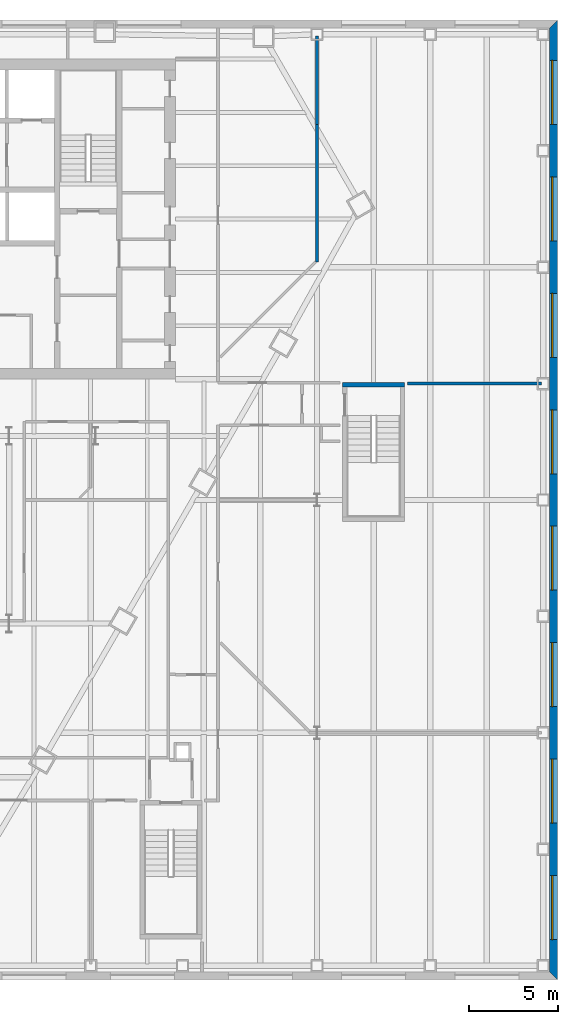
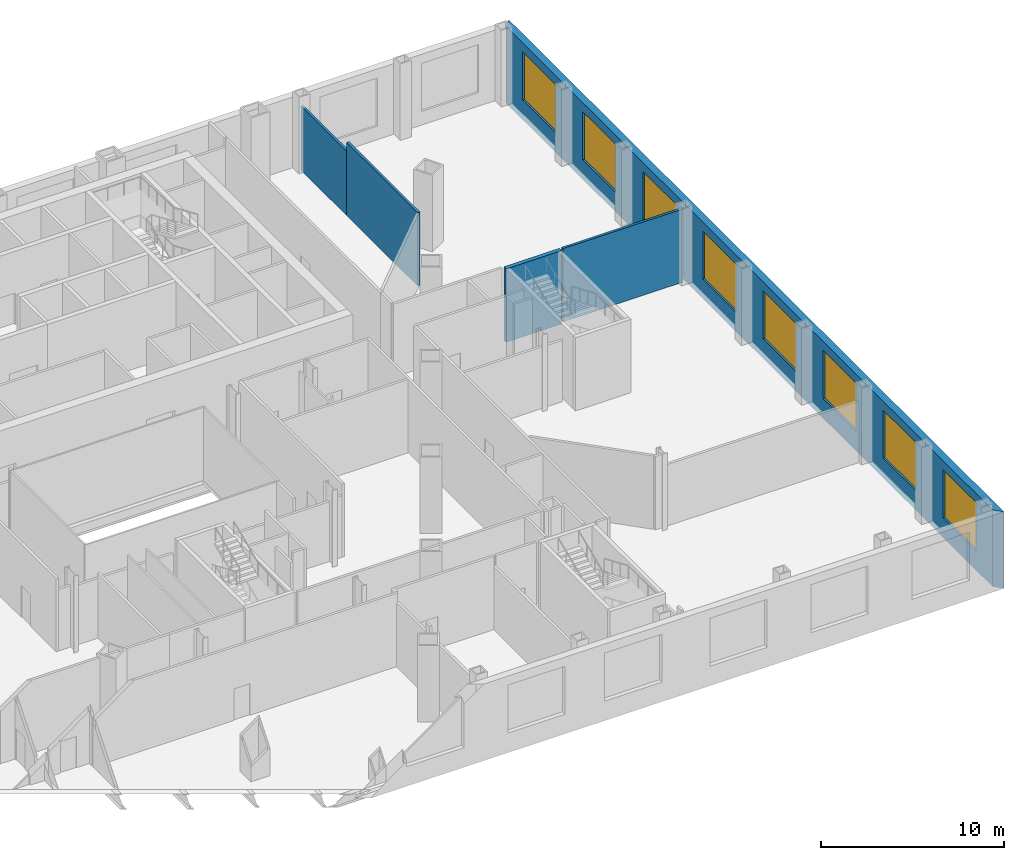
# One storey, part 14 of 20: 8 windows, 5 walls, 8 openings.
"""IFC4 building model written with IfcOpenShell, lengths in metres."""

from ifc_helpers import new_model, si_unit, direction, frame, frame_2d, origin, place, context, subcontext, project, spatial, polyline, rectangle, outline, extrude, material, layer, layer_set, type_object, element, fill, save


model = new_model("IFC4")

# Units and contexts
model_context = context("Model", 3, precision=1e-05, world=origin(), true_north=direction((0.0, 1.0)))
body_context = subcontext(model_context, "Body", "Model", "MODEL_VIEW")
ifc_project = project(units=[si_unit("LENGTHUNIT", "METRE"), si_unit("AREAUNIT", "SQUARE_METRE"), si_unit("VOLUMEUNIT", "CUBIC_METRE"), si_unit("PLANEANGLEUNIT", "RADIAN"), si_unit("MASSUNIT", "GRAM", prefix="KILO")], contexts=[model_context])

# Site, building, storey
site_placement = place(None, origin())
site = spatial("IfcSite", under=ifc_project, at=site_placement, CompositionType="ELEMENT")
building_placement = place(site_placement, origin())
building = spatial("IfcBuilding", under=site, at=building_placement, Name="Njiva Tower", CompositionType="ELEMENT")
storey_placement = place(building_placement, frame((0.0, 0.0, 18.6)))
storey = spatial("IfcBuildingStorey", under=building, at=storey_placement, Name="L03", CompositionType="ELEMENT", Elevation=18.6)

# Walls
ifc_material_1 = material(Name="Gypsum board on steel studs", Category="gypsum")
ifc_layer_1 = layer(ifc_material_1, 0.15)
ifc_layer_set_1 = layer_set([ifc_layer_1], Name="Gypsum board on steel studs")
wall_type_1 = type_object("IfcWallType", Name="WT21 Compartment wall 150", PredefinedType="PARTITIONING", material=ifc_layer_set_1)
wall_1_placement = place(storey_placement, frame((25.467, 6.592, 0.0), z_axis=(0.0, 0.0, 1.0), x_axis=(0.0, 1.0, 0.0)))
element("IfcWall", 1, at=wall_1_placement, inside=storey, type_object=wall_type_1, Name="Partition L03-P091", PredefinedType="PARTITIONING", context=body_context, shape_type="SweptSolid", body=[
    extrude(rectangle(XDim=7.736, YDim=0.15, at=frame_2d((3.868, 0.0))), origin(), (0.0, 0.0, 1.0), 4.88),
])
wall_2_placement = place(storey_placement, frame((25.467, 14.328, 0.0), z_axis=(0.0, 0.0, 1.0), x_axis=(0.0, 1.0, 0.0)))
element("IfcWall", 2, at=wall_2_placement, inside=storey, type_object=wall_type_1, Name="Partition L03-P091A", PredefinedType="PARTITIONING", context=body_context, shape_type="SweptSolid", body=[
    extrude(rectangle(XDim=4.972, YDim=0.15, at=frame_2d((2.486, 0.0))), origin(), (0.0, 0.0, 1.0), 4.28),
])
wall_3_placement = place(storey_placement, frame((30.55, -0.25, 0.0), z_axis=(0.0, 0.0, 1.0), x_axis=(1.0, 0.0, 0.0)))
element("IfcWall", 3, at=wall_3_placement, inside=storey, type_object=wall_type_1, Name="Partition L03-P095", PredefinedType="PARTITIONING", context=body_context, shape_type="SweptSolid", body=[
    extrude(rectangle(XDim=7.55, YDim=0.15, at=frame_2d((3.775, 0.0))), origin(), (0.0, 0.0, 1.0), 4.88),
])
ifc_material_2 = material(Name="Concrete C40/50", Category="concrete")
ifc_layer_2 = layer(ifc_material_2, 0.25)
ifc_layer_set_2 = layer_set([ifc_layer_2], Name="Concrete C40/50")
wall_type_2 = type_object("IfcWallType", Name="WT9 Stair enclosure wall 250", PredefinedType="SHEAR", material=ifc_layer_set_2)
wall_4_placement = place(storey_placement, frame((26.9, -0.325, 0.0), z_axis=(0.0, 0.0, 1.0), x_axis=(1.0, 0.0, 0.0)))
element("IfcWall", 4, at=wall_4_placement, inside=storey, type_object=wall_type_2, Name="Stair G wall north", PredefinedType="SHEAR", context=body_context, shape_type="SweptSolid", body=[
    extrude(rectangle(XDim=3.5, YDim=0.25, at=frame_2d((1.75, 0.0))), origin(), (0.0, 0.0, 1.0), 4.88),
])

# Wall, openings, windows
ifc_material_3 = material(Name="Brick masonry", Category="masonry")
ifc_layer_3 = layer(ifc_material_3, 0.45)
ifc_layer_set_3 = layer_set([ifc_layer_3], Name="Brick masonry")
wall_type_3 = type_object("IfcWallType", Name="WT90 Brick pier and spandrel wall 450", PredefinedType="SOLIDWALL", material=ifc_layer_set_3)
wall_5_placement = place(storey_placement, frame((38.775, -33.575, -0.4), z_axis=(0.0, 0.0, 1.0), x_axis=(0.0, 1.0, 0.0)))
wall_5 = element("IfcWall", 5, at=wall_5_placement, inside=storey, type_object=wall_type_3, Name="Podium wall E", PredefinedType="SOLIDWALL", context=body_context, shape_type="SweptSolid", body=[
    extrude(outline(polyline([(-0.225, -0.225), (53.775, -0.225), (53.325, 0.225), (0.225, 0.225), (-0.225, -0.225)])), origin(), (0.0, 0.0, 1.0), 5.1),
])
opening_1_placement = place(wall_5_placement, frame((2.05, 0.0, 1.3)))
opening_1 = element("IfcOpeningElement", 6, at=opening_1_placement, cuts=wall_5, Name="Opening L03-W01", PredefinedType="OPENING", context=body_context, shape_type="SweptSolid", body=[
    extrude(rectangle(XDim=3.6, YDim=3.2, at=frame_2d((1.8, 1.6))), frame((0.0, 0.235, 0.0), z_axis=(0.0, -1.0, 0.0), x_axis=(1.0, 0.0, 0.0)), (0.0, 0.0, 1.0), 0.47),
])
opening_2_placement = place(wall_5_placement, frame((8.6, 0.0, 1.3)))
opening_2 = element("IfcOpeningElement", 7, at=opening_2_placement, cuts=wall_5, Name="Opening L03-W02", PredefinedType="OPENING", context=body_context, shape_type="SweptSolid", body=[
    extrude(rectangle(XDim=3.6, YDim=3.2, at=frame_2d((1.8, 1.6))), frame((0.0, 0.235, 0.0), z_axis=(0.0, -1.0, 0.0), x_axis=(1.0, 0.0, 0.0)), (0.0, 0.0, 1.0), 0.47),
])
opening_3_placement = place(wall_5_placement, frame((15.15, 0.0, 1.3)))
opening_3 = element("IfcOpeningElement", 8, at=opening_3_placement, cuts=wall_5, Name="Opening L03-W03", PredefinedType="OPENING", context=body_context, shape_type="SweptSolid", body=[
    extrude(rectangle(XDim=3.6, YDim=3.2, at=frame_2d((1.8, 1.6))), frame((0.0, 0.235, 0.0), z_axis=(0.0, -1.0, 0.0), x_axis=(1.0, 0.0, 0.0)), (0.0, 0.0, 1.0), 0.47),
])
opening_4_placement = place(wall_5_placement, frame((21.7, 0.0, 1.3)))
opening_4 = element("IfcOpeningElement", 9, at=opening_4_placement, cuts=wall_5, Name="Opening L03-W04", PredefinedType="OPENING", context=body_context, shape_type="SweptSolid", body=[
    extrude(rectangle(XDim=3.6, YDim=3.2, at=frame_2d((1.8, 1.6))), frame((0.0, 0.235, 0.0), z_axis=(0.0, -1.0, 0.0), x_axis=(1.0, 0.0, 0.0)), (0.0, 0.0, 1.0), 0.47),
])
opening_5_placement = place(wall_5_placement, frame((28.25, 0.0, 1.3)))
opening_5 = element("IfcOpeningElement", 10, at=opening_5_placement, cuts=wall_5, Name="Opening L03-W05", PredefinedType="OPENING", context=body_context, shape_type="SweptSolid", body=[
    extrude(rectangle(XDim=3.6, YDim=3.2, at=frame_2d((1.8, 1.6))), frame((0.0, 0.235, 0.0), z_axis=(0.0, -1.0, 0.0), x_axis=(1.0, 0.0, 0.0)), (0.0, 0.0, 1.0), 0.47),
])
opening_6_placement = place(wall_5_placement, frame((34.8, 0.0, 1.3)))
opening_6 = element("IfcOpeningElement", 11, at=opening_6_placement, cuts=wall_5, Name="Opening L03-W06", PredefinedType="OPENING", context=body_context, shape_type="SweptSolid", body=[
    extrude(rectangle(XDim=3.6, YDim=3.2, at=frame_2d((1.8, 1.6))), frame((0.0, 0.235, 0.0), z_axis=(0.0, -1.0, 0.0), x_axis=(1.0, 0.0, 0.0)), (0.0, 0.0, 1.0), 0.47),
])
opening_7_placement = place(wall_5_placement, frame((41.35, 0.0, 1.3)))
opening_7 = element("IfcOpeningElement", 12, at=opening_7_placement, cuts=wall_5, Name="Opening L03-W07", PredefinedType="OPENING", context=body_context, shape_type="SweptSolid", body=[
    extrude(rectangle(XDim=3.6, YDim=3.2, at=frame_2d((1.8, 1.6))), frame((0.0, 0.235, 0.0), z_axis=(0.0, -1.0, 0.0), x_axis=(1.0, 0.0, 0.0)), (0.0, 0.0, 1.0), 0.47),
])
opening_8_placement = place(wall_5_placement, frame((47.9, 0.0, 1.3)))
opening_8 = element("IfcOpeningElement", 13, at=opening_8_placement, cuts=wall_5, Name="Opening L03-W08", PredefinedType="OPENING", context=body_context, shape_type="SweptSolid", body=[
    extrude(rectangle(XDim=3.6, YDim=3.2, at=frame_2d((1.8, 1.6))), frame((0.0, 0.235, 0.0), z_axis=(0.0, -1.0, 0.0), x_axis=(1.0, 0.0, 0.0)), (0.0, 0.0, 1.0), 0.47),
])
ifc_material_4 = material(Name="Clear glazing in aluminium frame", Category="aluminium")
window_type = type_object("IfcWindowType", Name="W98 Deep-set window 3600x3200", PartitioningType="SINGLE_PANEL", PredefinedType="WINDOW", material=ifc_material_4)
window_1_placement = place(opening_1_placement, origin())
window_1 = element("IfcWindow", 14, at=window_1_placement, inside=storey, type_object=window_type, Name="Window", OverallHeight=3.2, OverallWidth=3.6, PartitioningType="SINGLE_PANEL", PredefinedType="WINDOW", context=body_context, shape_type="SweptSolid", body=[
    extrude(rectangle(XDim=3.6, YDim=3.2, at=frame_2d((1.8, 1.6))), frame((0.0, 0.105, 0.0), z_axis=(0.0, -1.0, 0.0), x_axis=(1.0, 0.0, 0.0)), (0.0, 0.0, 1.0), 0.06),
])
fill(opening_1, window_1)
window_2_placement = place(opening_2_placement, origin())
window_2 = element("IfcWindow", 15, at=window_2_placement, inside=storey, type_object=window_type, Name="Window", OverallHeight=3.2, OverallWidth=3.6, PartitioningType="SINGLE_PANEL", PredefinedType="WINDOW", context=body_context, shape_type="SweptSolid", body=[
    extrude(rectangle(XDim=3.6, YDim=3.2, at=frame_2d((1.8, 1.6))), frame((0.0, 0.105, 0.0), z_axis=(0.0, -1.0, 0.0), x_axis=(1.0, 0.0, 0.0)), (0.0, 0.0, 1.0), 0.06),
])
fill(opening_2, window_2)
window_3_placement = place(opening_3_placement, origin())
window_3 = element("IfcWindow", 16, at=window_3_placement, inside=storey, type_object=window_type, Name="Window", OverallHeight=3.2, OverallWidth=3.6, PartitioningType="SINGLE_PANEL", PredefinedType="WINDOW", context=body_context, shape_type="SweptSolid", body=[
    extrude(rectangle(XDim=3.6, YDim=3.2, at=frame_2d((1.8, 1.6))), frame((0.0, 0.105, 0.0), z_axis=(0.0, -1.0, 0.0), x_axis=(1.0, 0.0, 0.0)), (0.0, 0.0, 1.0), 0.06),
])
fill(opening_3, window_3)
window_4_placement = place(opening_4_placement, origin())
window_4 = element("IfcWindow", 17, at=window_4_placement, inside=storey, type_object=window_type, Name="Window", OverallHeight=3.2, OverallWidth=3.6, PartitioningType="SINGLE_PANEL", PredefinedType="WINDOW", context=body_context, shape_type="SweptSolid", body=[
    extrude(rectangle(XDim=3.6, YDim=3.2, at=frame_2d((1.8, 1.6))), frame((0.0, 0.105, 0.0), z_axis=(0.0, -1.0, 0.0), x_axis=(1.0, 0.0, 0.0)), (0.0, 0.0, 1.0), 0.06),
])
fill(opening_4, window_4)
window_5_placement = place(opening_5_placement, origin())
window_5 = element("IfcWindow", 18, at=window_5_placement, inside=storey, type_object=window_type, Name="Window", OverallHeight=3.2, OverallWidth=3.6, PartitioningType="SINGLE_PANEL", PredefinedType="WINDOW", context=body_context, shape_type="SweptSolid", body=[
    extrude(rectangle(XDim=3.6, YDim=3.2, at=frame_2d((1.8, 1.6))), frame((0.0, 0.105, 0.0), z_axis=(0.0, -1.0, 0.0), x_axis=(1.0, 0.0, 0.0)), (0.0, 0.0, 1.0), 0.06),
])
fill(opening_5, window_5)
window_6_placement = place(opening_6_placement, origin())
window_6 = element("IfcWindow", 19, at=window_6_placement, inside=storey, type_object=window_type, Name="Window", OverallHeight=3.2, OverallWidth=3.6, PartitioningType="SINGLE_PANEL", PredefinedType="WINDOW", context=body_context, shape_type="SweptSolid", body=[
    extrude(rectangle(XDim=3.6, YDim=3.2, at=frame_2d((1.8, 1.6))), frame((0.0, 0.105, 0.0), z_axis=(0.0, -1.0, 0.0), x_axis=(1.0, 0.0, 0.0)), (0.0, 0.0, 1.0), 0.06),
])
fill(opening_6, window_6)
window_7_placement = place(opening_7_placement, origin())
window_7 = element("IfcWindow", 20, at=window_7_placement, inside=storey, type_object=window_type, Name="Window", OverallHeight=3.2, OverallWidth=3.6, PartitioningType="SINGLE_PANEL", PredefinedType="WINDOW", context=body_context, shape_type="SweptSolid", body=[
    extrude(rectangle(XDim=3.6, YDim=3.2, at=frame_2d((1.8, 1.6))), frame((0.0, 0.105, 0.0), z_axis=(0.0, -1.0, 0.0), x_axis=(1.0, 0.0, 0.0)), (0.0, 0.0, 1.0), 0.06),
])
fill(opening_7, window_7)
window_8_placement = place(opening_8_placement, origin())
window_8 = element("IfcWindow", 21, at=window_8_placement, inside=storey, type_object=window_type, Name="Window", OverallHeight=3.2, OverallWidth=3.6, PartitioningType="SINGLE_PANEL", PredefinedType="WINDOW", context=body_context, shape_type="SweptSolid", body=[
    extrude(rectangle(XDim=3.6, YDim=3.2, at=frame_2d((1.8, 1.6))), frame((0.0, 0.105, 0.0), z_axis=(0.0, -1.0, 0.0), x_axis=(1.0, 0.0, 0.0)), (0.0, 0.0, 1.0), 0.06),
])
fill(opening_8, window_8)

save(model, "model.ifc")
